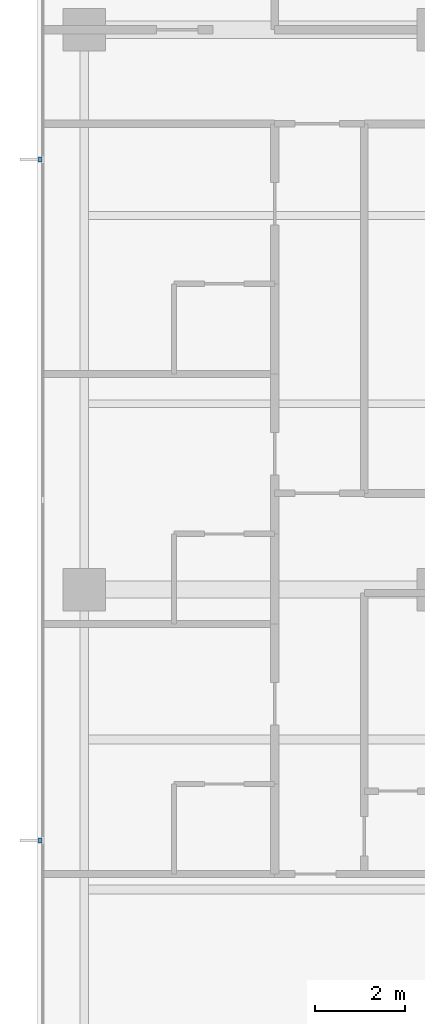
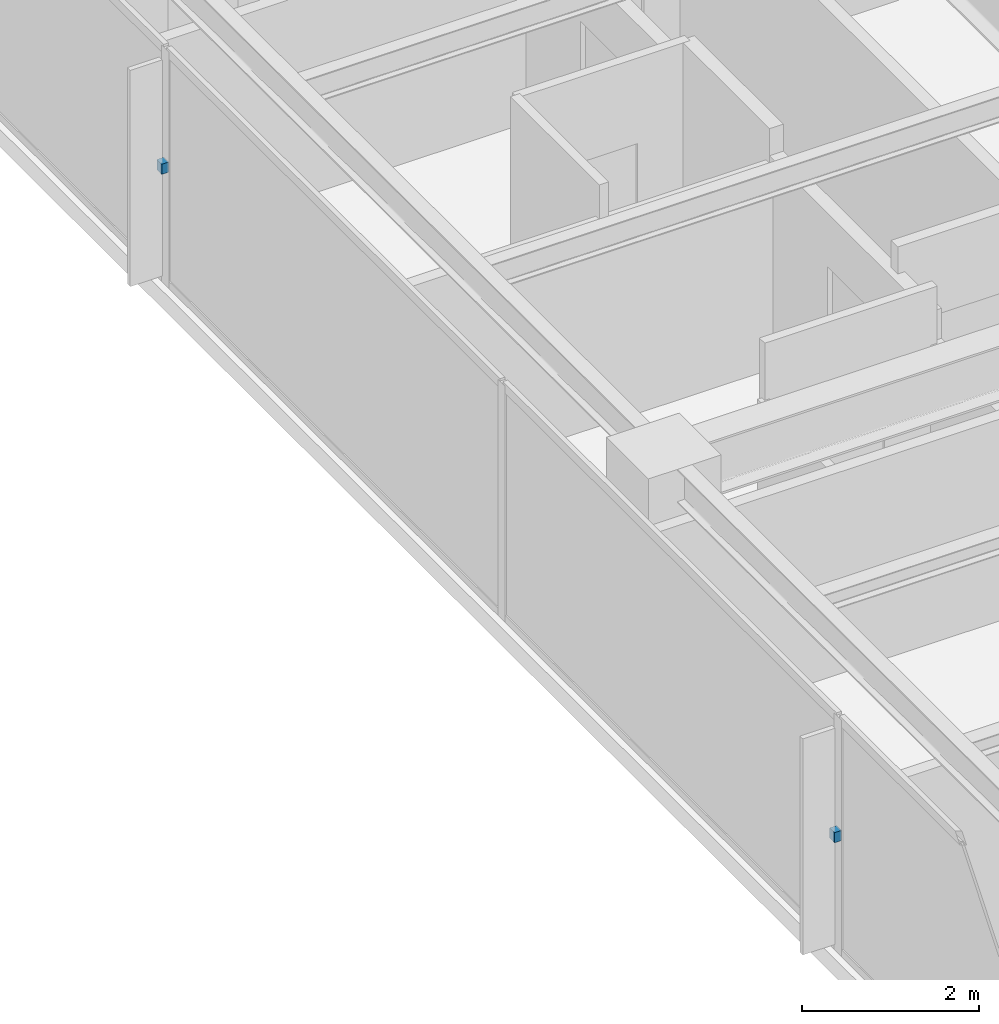
# One storey, part 11 of 14: 2 discrete accessories.
"""IFC4 building model written with IfcOpenShell, lengths in metres."""

from ifc_helpers import new_model, si_unit, direction, frame, origin, place, context, subcontext, project, spatial, polyline, outline, extrude, material, type_object, element, save


model = new_model("IFC4")

# Units and contexts
model_context = context("Model", 3, precision=1e-05, world=origin(), true_north=direction((0.0, 1.0)))
body_context = subcontext(model_context, "Body", "Model", "MODEL_VIEW")
ifc_project = project(units=[si_unit("LENGTHUNIT", "METRE"), si_unit("AREAUNIT", "SQUARE_METRE"), si_unit("VOLUMEUNIT", "CUBIC_METRE"), si_unit("PLANEANGLEUNIT", "RADIAN"), si_unit("MASSUNIT", "GRAM", prefix="KILO")], contexts=[model_context])

# Site, building, storey
site_placement = place(None, origin())
site = spatial("IfcSite", under=ifc_project, at=site_placement, CompositionType="ELEMENT")
building_placement = place(site_placement, origin())
building = spatial("IfcBuilding", under=site, at=building_placement, Name="Qalmaran Belvedere Hotel", CompositionType="ELEMENT")
storey_placement = place(building_placement, frame((0.0, 0.0, 200.39990234375)))
storey = spatial("IfcBuildingStorey", under=building, at=storey_placement, Name="L50", CompositionType="ELEMENT", Elevation=200.39990234375)

# Discrete accessories
ifc_material = material(Name="Stainless Steel 1.4401", Category="steel")
discrete_accessory_type = type_object("IfcDiscreteAccessoryType", Name="BRK-FIN-SS316", PredefinedType="BRACKET", material=ifc_material)
discrete_accessory_1_placement = place(storey_placement, frame((0.0, 0.0, 1.580078125)))
element("IfcDiscreteAccessory", 1, at=discrete_accessory_1_placement, inside=storey, type_object=discrete_accessory_type, Name="L50 Fin Bracket 1", PredefinedType="BRACKET", context=body_context, shape_type="SweptSolid", body=[
    extrude(outline(polyline([(11.455078125, 30.155029296875), (11.362548828125, 30.155029296875), (11.362548828125, 30.044921875), (11.455078125, 30.044921875), (11.455078125, 30.155029296875)])), origin(), (0.0, 0.0, 1.0), 0.14013671875),
])
discrete_accessory_2_placement = place(storey_placement, frame((0.0, 0.0, 1.580078125)))
element("IfcDiscreteAccessory", 2, at=discrete_accessory_2_placement, inside=storey, type_object=discrete_accessory_type, Name="L50 Fin Bracket 3", PredefinedType="BRACKET", context=body_context, shape_type="SweptSolid", body=[
    extrude(outline(polyline([(11.455078125, 14.955078125), (11.362548828125, 14.955078125), (11.362548828125, 14.844970703125), (11.455078125, 14.844970703125), (11.455078125, 14.955078125)])), origin(), (0.0, 0.0, 1.0), 0.14013671875),
])

save(model, "model.ifc")
